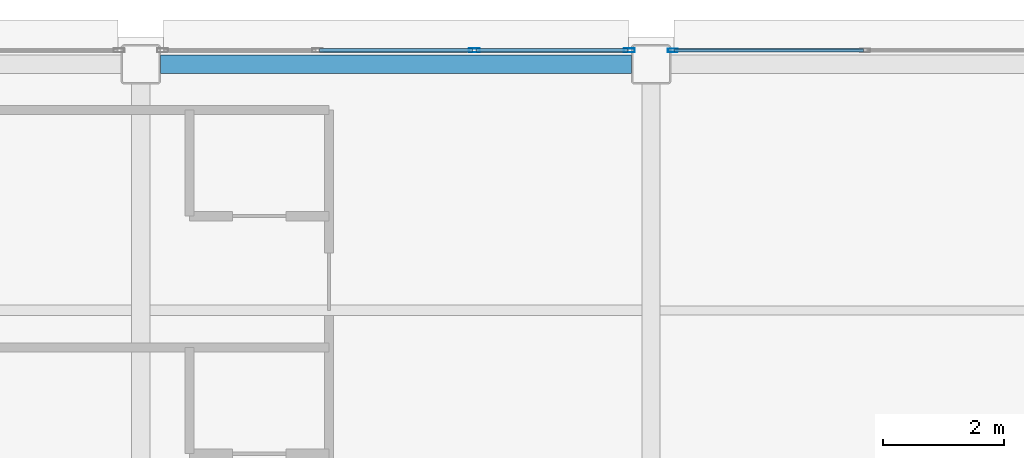
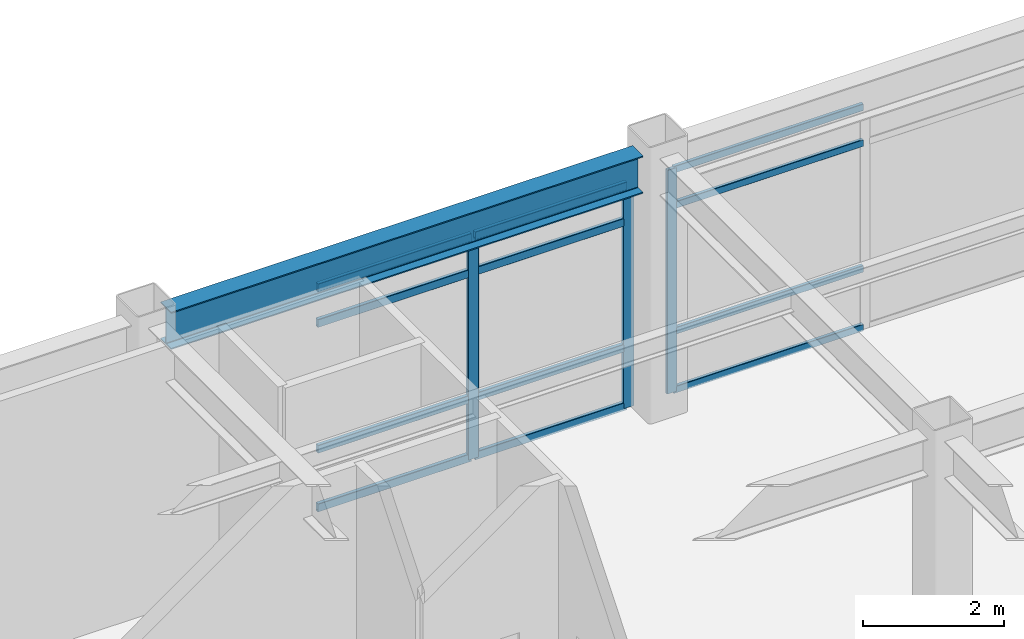
# One storey, part 62 of 93: 15 members, 1 beam, 2 elements without a shape of their own.
"""IFC4 building model written with IfcOpenShell, lengths in metres."""

from ifc_helpers import new_model, si_unit, direction, frame, origin, origin_2d, place, context, subcontext, project, spatial, hollow_rectangle, i_section, extrude, material, layer, layer_set, material_profile, profile_set, type_object, element, aggregate, save


model = new_model("IFC4")

# Units and contexts
model_context = context("Model", 3, precision=1e-05, world=origin(), true_north=direction((0.0, 1.0)))
body_context = subcontext(model_context, "Body", "Model", "MODEL_VIEW")
ifc_project = project(units=[si_unit("LENGTHUNIT", "METRE"), si_unit("AREAUNIT", "SQUARE_METRE"), si_unit("VOLUMEUNIT", "CUBIC_METRE"), si_unit("PLANEANGLEUNIT", "RADIAN"), si_unit("MASSUNIT", "GRAM", prefix="KILO")], contexts=[model_context])

# Site, building, storey
site_placement = place(None, origin())
site = spatial("IfcSite", under=ifc_project, at=site_placement, CompositionType="ELEMENT")
building_placement = place(site_placement, origin())
building = spatial("IfcBuilding", under=site, at=building_placement, Name="Kazehara Bluff Congress Hotel", CompositionType="ELEMENT")
storey_placement = place(building_placement, frame((0.0, 0.0, 15.0)))
storey = spatial("IfcBuildingStorey", under=building, at=storey_placement, Name="L03", CompositionType="ELEMENT", Elevation=15.0)

# Curtain wall, member
ifc_material_1 = material(Name="Anodised aluminium", Category="aluminium")
ifc_layer_1 = layer(ifc_material_1, 0.159912109375)
ifc_layer_set_1 = layer_set([ifc_layer_1], Name="Anodised aluminium")
curtain_wall_type_1 = type_object("IfcCurtainWallType", Name="TP-CW-145", PredefinedType="NOTDEFINED", material=ifc_layer_set_1)
curtain_wall_1_placement = place(storey_placement, origin())
curtain_wall_1 = element("IfcCurtainWall", 1, at=curtain_wall_1_placement, inside=storey, type_object=curtain_wall_type_1, Name="L03 curtain wall CW-145 CW-ENC-V5-L03-16402-11378", PredefinedType="NOTDEFINED")
ifc_material_2 = material(Name="Anodised aluminium", Category="aluminium")
ifc_material_profile_1 = material_profile(ifc_material_2, hollow_rectangle(XDim=0.06005859375, YDim=0.159912109375, WallThickness=0.00390625, InnerFilletRadius=0.00390625, OuterFilletRadius=0.008056640625, at=origin_2d()))
ifc_profile_set_1 = profile_set([ifc_material_profile_1], Name="Anodised aluminium")
member_type_1 = type_object("IfcMemberType", Name="TP-CWM-01", PredefinedType="MULLION", material=ifc_profile_set_1)
member_1_placement = place(storey_placement, frame((160.85498046875, 113.780029296875, 0.0), z_axis=(0.0, 0.0, 1.0), x_axis=(0.0, 1.0, 0.0)))
member_1 = element("IfcMember", 2, at=member_1_placement, type_object=member_type_1, Name="CW-145 mullion 1", PredefinedType="MULLION", context=body_context, shape_type="SweptSolid", body=[
    extrude(hollow_rectangle(XDim=0.06005859375, YDim=0.159912109375, WallThickness=0.00390625, InnerFilletRadius=0.00390625, OuterFilletRadius=0.008056640625, at=origin_2d()), origin(), (0.0, 0.0, 1.0), 3.885009765625),
])

# Curtain wall, members
ifc_material_3 = material(Name="Anodised aluminium", Category="aluminium")
ifc_layer_2 = layer(ifc_material_3, 0.159912109375)
ifc_layer_set_2 = layer_set([ifc_layer_2], Name="Anodised aluminium")
curtain_wall_type_2 = type_object("IfcCurtainWallType", Name="TP-CW-24", PredefinedType="NOTDEFINED", material=ifc_layer_set_2)
curtain_wall_2_placement = place(storey_placement, origin())
curtain_wall_2 = element("IfcCurtainWall", 3, at=curtain_wall_2_placement, inside=storey, type_object=curtain_wall_type_2, Name="L03 curtain wall CW-24 CW-ENC-V5-L03-15630-11378", PredefinedType="NOTDEFINED")
ifc_material_4 = material(Name="Anodised aluminium", Category="aluminium")
ifc_material_profile_2 = material_profile(ifc_material_4, hollow_rectangle(XDim=0.06494140625, YDim=0.179931640625, WallThickness=0.00390625, InnerFilletRadius=0.00390625, OuterFilletRadius=0.008056640625, at=origin_2d()))
ifc_profile_set_2 = profile_set([ifc_material_profile_2], Name="Anodised aluminium")
member_type_2 = type_object("IfcMemberType", Name="TP-CWM-02", PredefinedType="MULLION", material=ifc_profile_set_2)
member_2_placement = place(storey_placement, frame((157.591552734375, 113.780029296875, 0.0), z_axis=(0.0, 0.0, 1.0), x_axis=(0.0, 1.0, 0.0)))
member_2 = element("IfcMember", 4, at=member_2_placement, type_object=member_type_2, Name="CW-24 mullion 3", PredefinedType="MULLION", context=body_context, shape_type="SweptSolid", body=[
    extrude(hollow_rectangle(XDim=0.06494140625, YDim=0.179931640625, WallThickness=0.00390625, InnerFilletRadius=0.00390625, OuterFilletRadius=0.008056640625, at=origin_2d()), origin(), (0.0, 0.0, 1.0), 3.885009765625),
])
member_3_placement = place(storey_placement, frame((160.142578125, 113.780029296875, 0.0), z_axis=(0.0, 0.0, 1.0), x_axis=(0.0, 1.0, 0.0)))
member_3 = element("IfcMember", 5, at=member_3_placement, type_object=member_type_2, Name="CW-24 mullion 4", PredefinedType="MULLION", context=body_context, shape_type="SweptSolid", body=[
    extrude(hollow_rectangle(XDim=0.06494140625, YDim=0.179931640625, WallThickness=0.00390625, InnerFilletRadius=0.00390625, OuterFilletRadius=0.008056640625, at=origin_2d()), origin(), (0.0, 0.0, 1.0), 3.885009765625),
])

# Member
ifc_material_5 = material(Name="Anodised aluminium", Category="aluminium")
ifc_material_profile_3 = material_profile(ifc_material_5, hollow_rectangle(XDim=0.06005859375, YDim=0.1201171875, WallThickness=0.00390625, InnerFilletRadius=0.00390625, OuterFilletRadius=0.008056640625, at=origin_2d()))
ifc_profile_set_3 = profile_set([ifc_material_profile_3], Name="Anodised aluminium")
member_type_3 = type_object("IfcMemberType", Name="TP-CWT-01", PredefinedType="USERDEFINED", material=ifc_profile_set_3)
member_4_placement = place(storey_placement, frame((160.885009765625, 113.780029296875, 0.030029296875), z_axis=(1.0, 0.0, 0.0), x_axis=(0.0, 1.0, 0.0)))
member_4 = element("IfcMember", 6, at=member_4_placement, type_object=member_type_3, Name="CW-145 transom 1.1", ObjectType="TRANSOM", PredefinedType="USERDEFINED", context=body_context, shape_type="SweptSolid", body=[
    extrude(hollow_rectangle(XDim=0.06005859375, YDim=0.1201171875, WallThickness=0.00390625, InnerFilletRadius=0.00390625, OuterFilletRadius=0.008056640625, at=origin_2d()), origin(), (0.0, 0.0, 1.0), 3.110107421875),
])

member_5_placement = place(storey_placement, frame((160.885009765625, 113.780029296875, 1.050048828125), z_axis=(1.0, 0.0, 0.0), x_axis=(0.0, 1.0, 0.0)))
member_5 = element("IfcMember", 7, at=member_5_placement, type_object=member_type_3, Name="CW-145 transom 1.2", ObjectType="TRANSOM", PredefinedType="USERDEFINED", context=body_context, shape_type="SweptSolid", body=[
    extrude(hollow_rectangle(XDim=0.06005859375, YDim=0.1201171875, WallThickness=0.00390625, InnerFilletRadius=0.00390625, OuterFilletRadius=0.008056640625, at=origin_2d()), origin(), (0.0, 0.0, 1.0), 3.110107421875),
])

member_6_placement = place(storey_placement, frame((160.885009765625, 113.780029296875, 3.235107421875), z_axis=(1.0, 0.0, 0.0), x_axis=(0.0, 1.0, 0.0)))
member_6 = element("IfcMember", 8, at=member_6_placement, type_object=member_type_3, Name="CW-145 transom 1.3", ObjectType="TRANSOM", PredefinedType="USERDEFINED", context=body_context, shape_type="SweptSolid", body=[
    extrude(hollow_rectangle(XDim=0.06005859375, YDim=0.1201171875, WallThickness=0.00390625, InnerFilletRadius=0.00390625, OuterFilletRadius=0.008056640625, at=origin_2d()), origin(), (0.0, 0.0, 1.0), 3.110107421875),
])

member_7_placement = place(storey_placement, frame((160.885009765625, 113.780029296875, 3.85498046875), z_axis=(1.0, 0.0, 0.0), x_axis=(0.0, 1.0, 0.0)))
member_7 = element("IfcMember", 9, at=member_7_placement, type_object=member_type_3, Name="CW-145 transom 1.4", ObjectType="TRANSOM", PredefinedType="USERDEFINED", context=body_context, shape_type="SweptSolid", body=[
    extrude(hollow_rectangle(XDim=0.06005859375, YDim=0.1201171875, WallThickness=0.00390625, InnerFilletRadius=0.00390625, OuterFilletRadius=0.008056640625, at=origin_2d()), origin(), (0.0, 0.0, 1.0), 3.110107421875),
])

aggregate(curtain_wall_1, [member_1, member_4, member_5, member_6, member_7])

ifc_material_6 = material(Name="Anodised aluminium", Category="aluminium")
ifc_material_profile_4 = material_profile(ifc_material_6, hollow_rectangle(XDim=0.06494140625, YDim=0.139892578125, WallThickness=0.00390625, InnerFilletRadius=0.00390625, OuterFilletRadius=0.008056640625, at=origin_2d()))
ifc_profile_set_4 = profile_set([ifc_material_profile_4], Name="Anodised aluminium")
member_type_4 = type_object("IfcMemberType", Name="TP-CWT-02", PredefinedType="USERDEFINED", material=ifc_profile_set_4)
member_8_placement = place(storey_placement, frame((155.040771484375, 113.780029296875, 0.032470703125), z_axis=(1.0, 0.0, 0.0), x_axis=(0.0, 1.0, 0.0)))
member_8 = element("IfcMember", 10, at=member_8_placement, type_object=member_type_4, Name="CW-24 transom 2.1", ObjectType="TRANSOM", PredefinedType="USERDEFINED", context=body_context, shape_type="SweptSolid", body=[
    extrude(hollow_rectangle(XDim=0.06494140625, YDim=0.139892578125, WallThickness=0.00390625, InnerFilletRadius=0.00390625, OuterFilletRadius=0.008056640625, at=origin_2d()), origin(), (0.0, 0.0, 1.0), 2.518310546875),
])

member_9_placement = place(storey_placement, frame((155.040771484375, 113.780029296875, 1.050048828125), z_axis=(1.0, 0.0, 0.0), x_axis=(0.0, 1.0, 0.0)))
member_9 = element("IfcMember", 11, at=member_9_placement, type_object=member_type_4, Name="CW-24 transom 2.2", ObjectType="TRANSOM", PredefinedType="USERDEFINED", context=body_context, shape_type="SweptSolid", body=[
    extrude(hollow_rectangle(XDim=0.06494140625, YDim=0.139892578125, WallThickness=0.00390625, InnerFilletRadius=0.00390625, OuterFilletRadius=0.008056640625, at=origin_2d()), origin(), (0.0, 0.0, 1.0), 2.518310546875),
])

member_10_placement = place(storey_placement, frame((155.040771484375, 113.780029296875, 3.235107421875), z_axis=(1.0, 0.0, 0.0), x_axis=(0.0, 1.0, 0.0)))
member_10 = element("IfcMember", 12, at=member_10_placement, type_object=member_type_4, Name="CW-24 transom 2.3", ObjectType="TRANSOM", PredefinedType="USERDEFINED", context=body_context, shape_type="SweptSolid", body=[
    extrude(hollow_rectangle(XDim=0.06494140625, YDim=0.139892578125, WallThickness=0.00390625, InnerFilletRadius=0.00390625, OuterFilletRadius=0.008056640625, at=origin_2d()), origin(), (0.0, 0.0, 1.0), 2.518310546875),
])

member_11_placement = place(storey_placement, frame((155.040771484375, 113.780029296875, 3.8525390625), z_axis=(1.0, 0.0, 0.0), x_axis=(0.0, 1.0, 0.0)))
member_11 = element("IfcMember", 13, at=member_11_placement, type_object=member_type_4, Name="CW-24 transom 2.4", ObjectType="TRANSOM", PredefinedType="USERDEFINED", context=body_context, shape_type="SweptSolid", body=[
    extrude(hollow_rectangle(XDim=0.06494140625, YDim=0.139892578125, WallThickness=0.00390625, InnerFilletRadius=0.00390625, OuterFilletRadius=0.008056640625, at=origin_2d()), origin(), (0.0, 0.0, 1.0), 2.518310546875),
])

member_12_placement = place(storey_placement, frame((157.624267578125, 113.780029296875, 0.032470703125), z_axis=(1.0, 0.0, 0.0), x_axis=(0.0, 1.0, 0.0)))
member_12 = element("IfcMember", 14, at=member_12_placement, type_object=member_type_4, Name="CW-24 transom 3.1", ObjectType="TRANSOM", PredefinedType="USERDEFINED", context=body_context, shape_type="SweptSolid", body=[
    extrude(hollow_rectangle(XDim=0.06494140625, YDim=0.139892578125, WallThickness=0.00390625, InnerFilletRadius=0.00390625, OuterFilletRadius=0.008056640625, at=origin_2d()), origin(), (0.0, 0.0, 1.0), 2.48583984375),
])

member_13_placement = place(storey_placement, frame((157.624267578125, 113.780029296875, 1.050048828125), z_axis=(1.0, 0.0, 0.0), x_axis=(0.0, 1.0, 0.0)))
member_13 = element("IfcMember", 15, at=member_13_placement, type_object=member_type_4, Name="CW-24 transom 3.2", ObjectType="TRANSOM", PredefinedType="USERDEFINED", context=body_context, shape_type="SweptSolid", body=[
    extrude(hollow_rectangle(XDim=0.06494140625, YDim=0.139892578125, WallThickness=0.00390625, InnerFilletRadius=0.00390625, OuterFilletRadius=0.008056640625, at=origin_2d()), origin(), (0.0, 0.0, 1.0), 2.48583984375),
])

member_14_placement = place(storey_placement, frame((157.624267578125, 113.780029296875, 3.235107421875), z_axis=(1.0, 0.0, 0.0), x_axis=(0.0, 1.0, 0.0)))
member_14 = element("IfcMember", 16, at=member_14_placement, type_object=member_type_4, Name="CW-24 transom 3.3", ObjectType="TRANSOM", PredefinedType="USERDEFINED", context=body_context, shape_type="SweptSolid", body=[
    extrude(hollow_rectangle(XDim=0.06494140625, YDim=0.139892578125, WallThickness=0.00390625, InnerFilletRadius=0.00390625, OuterFilletRadius=0.008056640625, at=origin_2d()), origin(), (0.0, 0.0, 1.0), 2.48583984375),
])

member_15_placement = place(storey_placement, frame((157.624267578125, 113.780029296875, 3.8525390625), z_axis=(1.0, 0.0, 0.0), x_axis=(0.0, 1.0, 0.0)))
member_15 = element("IfcMember", 17, at=member_15_placement, type_object=member_type_4, Name="CW-24 transom 3.4", ObjectType="TRANSOM", PredefinedType="USERDEFINED", context=body_context, shape_type="SweptSolid", body=[
    extrude(hollow_rectangle(XDim=0.06494140625, YDim=0.139892578125, WallThickness=0.00390625, InnerFilletRadius=0.00390625, OuterFilletRadius=0.008056640625, at=origin_2d()), origin(), (0.0, 0.0, 1.0), 2.48583984375),
])

aggregate(curtain_wall_2, [member_2, member_3, member_8, member_9, member_10, member_11, member_12, member_13, member_14, member_15])

# Beam
ifc_material_7 = material(Name="Steel SN490B", Category="steel")
ifc_material_profile_5 = material_profile(ifc_material_7, i_section(OverallWidth=0.300048828125, OverallDepth=0.64990234375, WebThickness=0.011962890625, FlangeThickness=0.02001953125, FilletRadius=0.012939453125, at=origin_2d()))
ifc_profile_set_5 = profile_set([ifc_material_profile_5], Name="Steel SN490B")
beam_type = type_object("IfcBeamType", Name="TP-G-03", PredefinedType="BEAM", material=ifc_profile_set_5)
beam_placement = place(storey_placement, frame((152.425048828125, 113.550048828125, 4.235107421875), z_axis=(1.0, 0.0, 0.0), x_axis=(0.0, 1.0, 0.0)))
element("IfcBeam", 18, at=beam_placement, inside=storey, type_object=beam_type, Name="L03 girder G-03 197", PredefinedType="BEAM", context=body_context, shape_type="SweptSolid", body=[
    extrude(i_section(OverallWidth=0.300048828125, OverallDepth=0.64990234375, WebThickness=0.011962890625, FlangeThickness=0.02001953125, FilletRadius=0.012939453125, at=origin_2d()), origin(), (0.0, 0.0, 1.0), 7.75),
])

save(model, "model.ifc")
